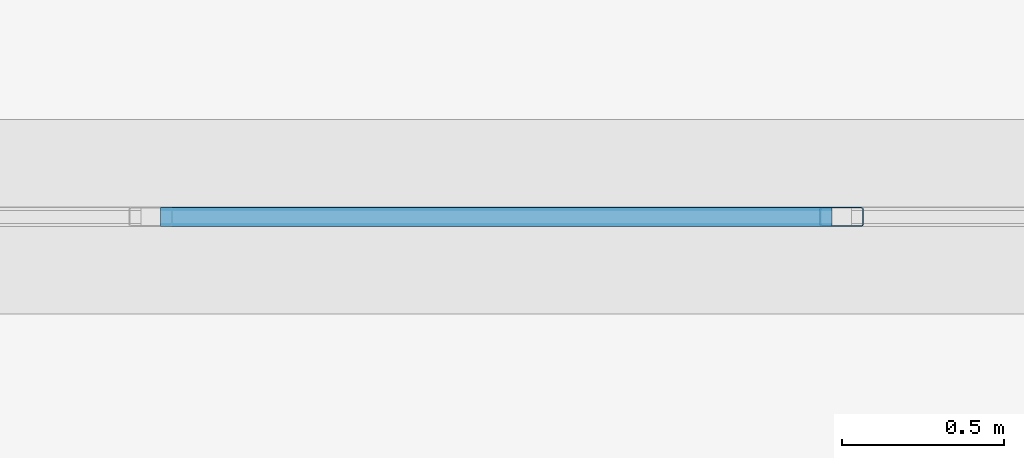
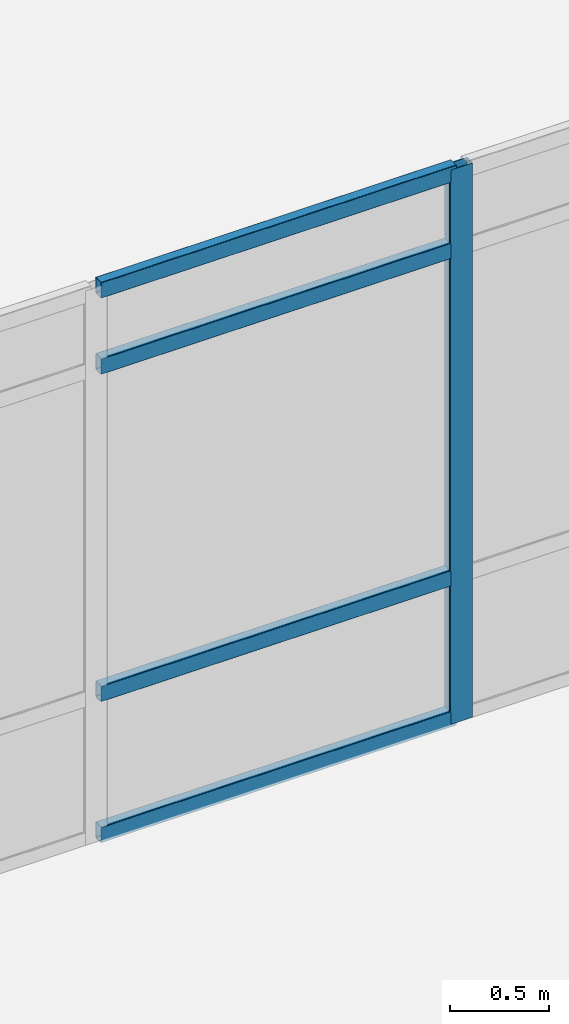
# One storey, part 98 of 196: 5 members, 1 element without a shape of its own.
"""IFC4 building model written with IfcOpenShell, lengths in metres."""

from ifc_helpers import new_model, si_unit, direction, frame, origin, origin_2d, place, context, subcontext, project, spatial, hollow_rectangle, extrude, material, layer, layer_set, material_profile, profile_set, type_object, element, aggregate, save


model = new_model("IFC4")

# Units and contexts
model_context = context("Model", 3, precision=1e-05, world=origin(), true_north=direction((0.0, 1.0)))
body_context = subcontext(model_context, "Body", "Model", "MODEL_VIEW")
ifc_project = project(units=[si_unit("LENGTHUNIT", "METRE"), si_unit("AREAUNIT", "SQUARE_METRE"), si_unit("VOLUMEUNIT", "CUBIC_METRE"), si_unit("PLANEANGLEUNIT", "RADIAN"), si_unit("MASSUNIT", "GRAM", prefix="KILO")], contexts=[model_context])

# Site, building, storey
site_placement = place(None, origin())
site = spatial("IfcSite", under=ifc_project, at=site_placement, CompositionType="ELEMENT")
building_placement = place(site_placement, origin())
building = spatial("IfcBuilding", under=site, at=building_placement, Name="Asteropetra Specialist Clinic", CompositionType="ELEMENT")
storey_placement = place(building_placement, origin())
storey = spatial("IfcBuildingStorey", under=building, at=storey_placement, Name="L00", CompositionType="ELEMENT", Elevation=0.0)

# Curtain wall, members
ifc_material_1 = material(Name="Aluminium and low-E glass", Category="aluminium")
ifc_layer = layer(ifc_material_1, 0.179931640625)
ifc_layer_set = layer_set([ifc_layer], Name="Aluminium and low-E glass")
curtain_wall_type = type_object("IfcCurtainWallType", Name="CW-SYS-04", PredefinedType="USERDEFINED", material=ifc_layer_set)
curtain_wall_placement = place(storey_placement, origin())
curtain_wall = element("IfcCurtainWall", 1, at=curtain_wall_placement, inside=storey, type_object=curtain_wall_type, Name="Curtain Wall CW-011", ObjectType="UNITISED CURTAIN WALL", PredefinedType="USERDEFINED")
ifc_material_2 = material(Name="Aluminium 6063-T6", Category="aluminium")
ifc_material_profile_1 = material_profile(ifc_material_2, hollow_rectangle(XDim=0.06005859375, YDim=0.135009765625, WallThickness=0.00341796875, InnerFilletRadius=0.00341796875, OuterFilletRadius=0.007080078125, at=origin_2d()), Name="MUL 135x60x3.5")
ifc_profile_set_1 = profile_set([ifc_material_profile_1], Name="Aluminium 6063-T6")
member_type_1 = type_object("IfcMemberType", Name="CWM-135x60", PredefinedType="MULLION", material=ifc_profile_set_1)
member_1_placement = place(storey_placement, frame((62.39990234375, 76.800048828125, 0.0), z_axis=(0.0, 0.0, 1.0), x_axis=(0.0, 1.0, 0.0)))
member_1 = element("IfcMember", 2, at=member_1_placement, type_object=member_type_1, Name="CW-011 mullion 3", PredefinedType="MULLION", context=body_context, shape_type="SweptSolid", body=[
    extrude(hollow_rectangle(XDim=0.06005859375, YDim=0.135009765625, WallThickness=0.00341796875, InnerFilletRadius=0.00341796875, OuterFilletRadius=0.007080078125, at=origin_2d()), origin(), (0.0, 0.0, 1.0), 3.419921875),
])
ifc_material_3 = material(Name="Aluminium 6063-T6", Category="aluminium")
ifc_material_profile_2 = material_profile(ifc_material_3, hollow_rectangle(XDim=0.06005859375, YDim=0.10009765625, WallThickness=0.00341796875, InnerFilletRadius=0.00341796875, OuterFilletRadius=0.007080078125, at=origin_2d()), Name="TRN 100x60x3.5")
ifc_profile_set_2 = profile_set([ifc_material_profile_2], Name="Aluminium 6063-T6")
member_type_2 = type_object("IfcMemberType", Name="CWT-100x60", PredefinedType="USERDEFINED", material=ifc_profile_set_2)
member_2_placement = place(storey_placement, frame((60.297607421875, 76.800048828125, 0.030029296875), z_axis=(1.0, 0.0, 0.0), x_axis=(0.0, 1.0, 0.0)))
member_2 = element("IfcMember", 3, at=member_2_placement, type_object=member_type_2, Name="CW-011 transom 2.1", ObjectType="TRANSOM", PredefinedType="USERDEFINED", context=body_context, shape_type="SweptSolid", body=[
    extrude(hollow_rectangle(XDim=0.06005859375, YDim=0.10009765625, WallThickness=0.00341796875, InnerFilletRadius=0.00341796875, OuterFilletRadius=0.007080078125, at=origin_2d()), origin(), (0.0, 0.0, 1.0), 2.072509765625),
])
member_3_placement = place(storey_placement, frame((60.297607421875, 76.800048828125, 0.89990234375), z_axis=(1.0, 0.0, 0.0), x_axis=(0.0, 1.0, 0.0)))
member_3 = element("IfcMember", 4, at=member_3_placement, type_object=member_type_2, Name="CW-011 transom 2.2", ObjectType="TRANSOM", PredefinedType="USERDEFINED", context=body_context, shape_type="SweptSolid", body=[
    extrude(hollow_rectangle(XDim=0.06005859375, YDim=0.10009765625, WallThickness=0.00341796875, InnerFilletRadius=0.00341796875, OuterFilletRadius=0.007080078125, at=origin_2d()), origin(), (0.0, 0.0, 1.0), 2.072509765625),
])
member_4_placement = place(storey_placement, frame((60.297607421875, 76.800048828125, 2.919921875), z_axis=(1.0, 0.0, 0.0), x_axis=(0.0, 1.0, 0.0)))
member_4 = element("IfcMember", 5, at=member_4_placement, type_object=member_type_2, Name="CW-011 transom 2.3", ObjectType="TRANSOM", PredefinedType="USERDEFINED", context=body_context, shape_type="SweptSolid", body=[
    extrude(hollow_rectangle(XDim=0.06005859375, YDim=0.10009765625, WallThickness=0.00341796875, InnerFilletRadius=0.00341796875, OuterFilletRadius=0.007080078125, at=origin_2d()), origin(), (0.0, 0.0, 1.0), 2.072509765625),
])
member_5_placement = place(storey_placement, frame((60.297607421875, 76.800048828125, 3.389892578125), z_axis=(1.0, 0.0, 0.0), x_axis=(0.0, 1.0, 0.0)))
member_5 = element("IfcMember", 6, at=member_5_placement, type_object=member_type_2, Name="CW-011 transom 2.4", ObjectType="TRANSOM", PredefinedType="USERDEFINED", context=body_context, shape_type="SweptSolid", body=[
    extrude(hollow_rectangle(XDim=0.06005859375, YDim=0.10009765625, WallThickness=0.00341796875, InnerFilletRadius=0.00341796875, OuterFilletRadius=0.007080078125, at=origin_2d()), origin(), (0.0, 0.0, 1.0), 2.072509765625),
])
aggregate(curtain_wall, [member_1, member_2, member_3, member_4, member_5])

save(model, "model.ifc")
